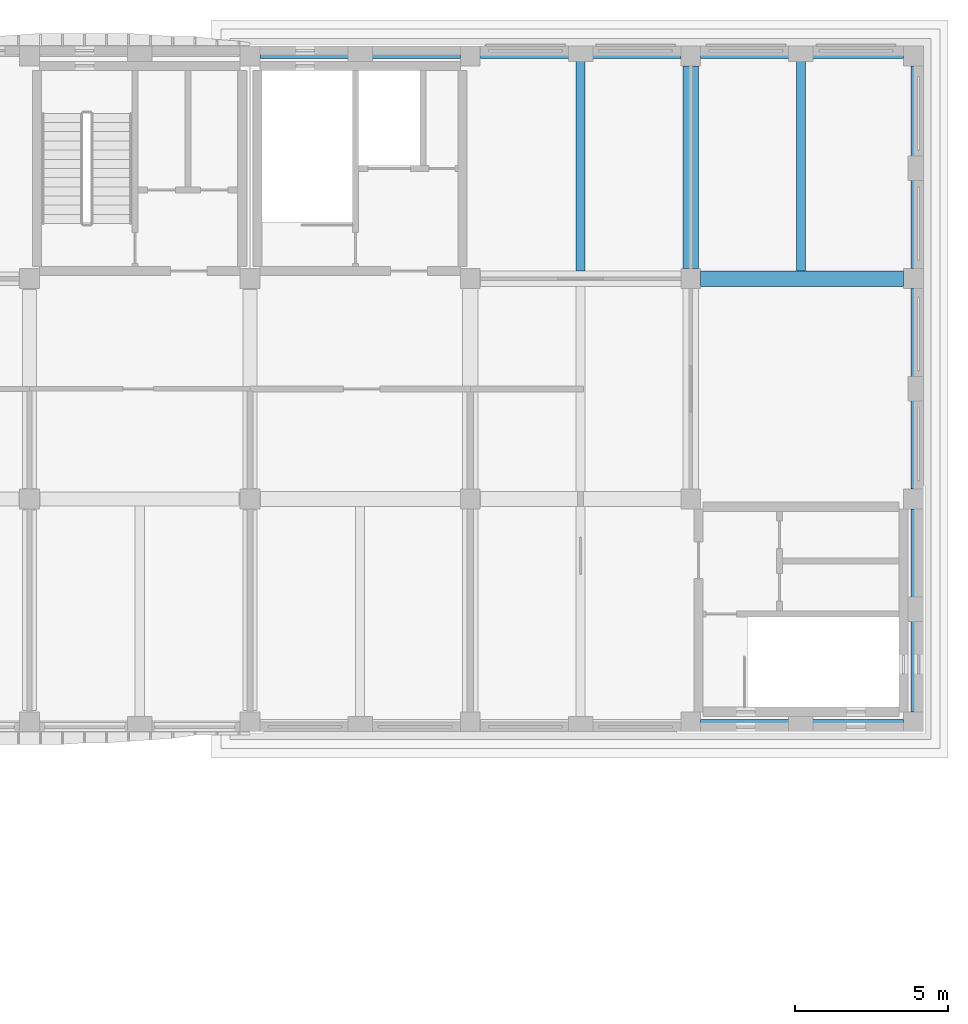
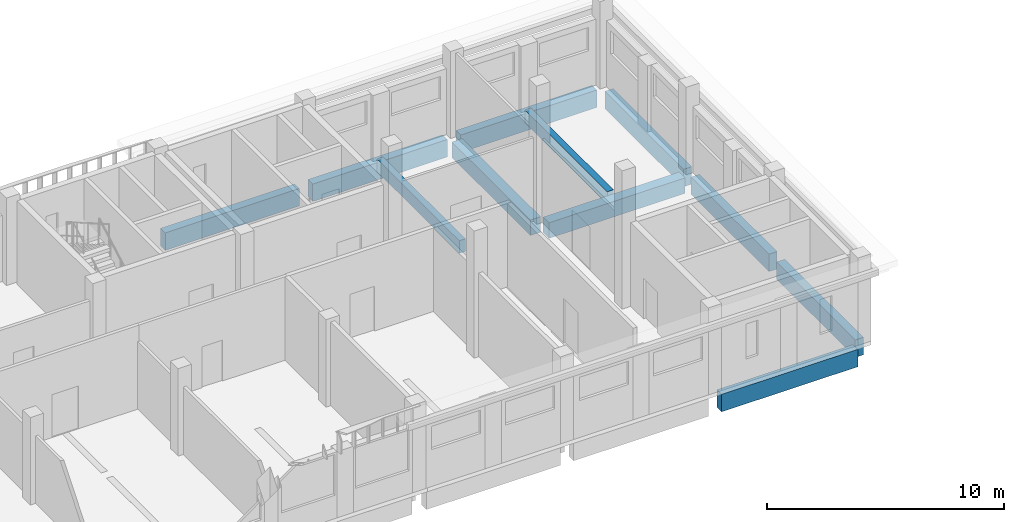
# One storey, part 15 of 58: 11 beams.
"""IFC4 building model written with IfcOpenShell, lengths in metres."""

from ifc_helpers import new_model, si_unit, direction, frame, origin, origin_2d, place, context, subcontext, project, spatial, rectangle, extrude, material, material_profile, profile_set, type_object, element, save


model = new_model("IFC4")

# Units and contexts
model_context = context("Model", 3, precision=1e-05, world=origin(), true_north=direction((0.0, 1.0)))
body_context = subcontext(model_context, "Body", "Model", "MODEL_VIEW")
ifc_project = project(units=[si_unit("LENGTHUNIT", "METRE"), si_unit("AREAUNIT", "SQUARE_METRE"), si_unit("VOLUMEUNIT", "CUBIC_METRE"), si_unit("PLANEANGLEUNIT", "RADIAN"), si_unit("MASSUNIT", "GRAM", prefix="KILO")], contexts=[model_context])

# Site, building, storey
site_placement = place(None, origin())
site = spatial("IfcSite", under=ifc_project, at=site_placement, CompositionType="ELEMENT")
building_placement = place(site_placement, origin())
building = spatial("IfcBuilding", under=site, at=building_placement, Name="Ussher Court Research Institute", CompositionType="ELEMENT")
storey_placement = place(building_placement, frame((0.0, 0.0, 9.89990234375)))
storey = spatial("IfcBuildingStorey", under=building, at=storey_placement, Name="L02", CompositionType="ELEMENT", Elevation=9.89990234375)

# Beams
ifc_material_1 = material(Name="Concrete C35/45", Category="concrete")
ifc_material_profile_1 = material_profile(ifc_material_1, rectangle(XDim=0.300048828125, YDim=0.64990234375, at=origin_2d()), Name="RC 300x650")
ifc_profile_set_1 = profile_set([ifc_material_profile_1], Name="Concrete C35/45")
beam_type_1 = type_object("IfcBeamType", Name="RC 300x650 beam", PredefinedType="BEAM", material=ifc_profile_set_1)
for number, where, z_axis, x_axis, name in (
    (1, (93.0, 83.449951171875, -0.324951171875), (0.0, 1.0, 0.0), (-1.0, 0.0, 0.0), "B4 V3 L02-04"),
    (2, (100.199951171875, 83.449951171875, -0.324951171875), (0.0, 1.0, 0.0), (-1.0, 0.0, 0.0), "B4 V3 L02-05"),
):
    element("IfcBeam", number, at=place(storey_placement, frame(where, z_axis=z_axis, x_axis=x_axis)), inside=storey, type_object=beam_type_1, Name=name, PredefinedType="BEAM", context=body_context, shape_type="SweptSolid", body=[
        extrude(rectangle(XDim=0.300048828125, YDim=0.64990234375, at=origin_2d()), origin(), (0.0, 0.0, 1.0), 6.949951171875),
    ])
ifc_material_2 = material(Name="Concrete C35/45", Category="concrete")
ifc_material_profile_2 = material_profile(ifc_material_2, rectangle(XDim=0.39990234375, YDim=0.89990234375, at=origin_2d()), Name="RC 400x900")
ifc_profile_set_2 = profile_set([ifc_material_profile_2], Name="Concrete C35/45")
beam_type_2 = type_object("IfcBeamType", Name="RC 400x900 beam", PredefinedType="BEAM", material=ifc_profile_set_2)
beam_1_placement = place(storey_placement, frame((96.925048828125, 68.60009765625, -0.64990234375), z_axis=(1.0, 0.0, 0.0), x_axis=(0.0, 1.0, 0.0)))
element("IfcBeam", 3, at=beam_1_placement, inside=storey, type_object=beam_type_2, Name="B8 V3 L02-03", PredefinedType="BEAM", context=body_context, shape_type="SweptSolid", body=[
    extrude(rectangle(XDim=0.39990234375, YDim=0.89990234375, at=origin_2d()), origin(), (0.0, 0.0, 1.0), 6.625),
])
beam_2_placement = place(storey_placement, frame((82.550048828125, 90.60009765625, -0.64990234375), z_axis=(1.0, 0.0, 0.0), x_axis=(0.0, 1.0, 0.0)))
element("IfcBeam", 4, at=beam_2_placement, inside=storey, type_object=beam_type_2, Name="B8 V3 L02-04", PredefinedType="BEAM", context=body_context, shape_type="SweptSolid", body=[
    extrude(rectangle(XDim=0.39990234375, YDim=0.89990234375, at=origin_2d()), origin(), (0.0, 0.0, 1.0), 6.52490234375),
])
beam_3_placement = place(storey_placement, frame((89.72509765625, 90.60009765625, -0.64990234375), z_axis=(1.0, 0.0, 0.0), x_axis=(0.0, 1.0, 0.0)))
element("IfcBeam", 5, at=beam_3_placement, inside=storey, type_object=beam_type_2, Name="B8 V3 L02-05", PredefinedType="BEAM", context=body_context, shape_type="SweptSolid", body=[
    extrude(rectangle(XDim=0.39990234375, YDim=0.89990234375, at=origin_2d()), origin(), (0.0, 0.0, 1.0), 6.5498046875),
])
for number, where, z_axis, x_axis, name in (
    (6, (96.925048828125, 90.60009765625, -0.64990234375), (1.0, 0.0, 0.0), (0.0, 1.0, 0.0), "B8 V3 L02-06"),
    (7, (104.0, 69.050048828125, -0.64990234375), (0.0, 1.0, 0.0), (-1.0, 0.0, 0.0), "B8 V3 L02-07"),
):
    element("IfcBeam", number, at=place(storey_placement, frame(where, z_axis=z_axis, x_axis=x_axis)), inside=storey, type_object=beam_type_2, Name=name, PredefinedType="BEAM", context=body_context, shape_type="SweptSolid", body=[
        extrude(rectangle(XDim=0.39990234375, YDim=0.89990234375, at=origin_2d()), origin(), (0.0, 0.0, 1.0), 6.625),
    ])
beam_4_placement = place(storey_placement, frame((104.0, 76.324951171875, -0.64990234375), z_axis=(0.0, 1.0, 0.0), x_axis=(-1.0, 0.0, 0.0)))
element("IfcBeam", 8, at=beam_4_placement, inside=storey, type_object=beam_type_2, Name="B8 V3 L02-08", PredefinedType="BEAM", context=body_context, shape_type="SweptSolid", body=[
    extrude(rectangle(XDim=0.39990234375, YDim=0.89990234375, at=origin_2d()), origin(), (0.0, 0.0, 1.0), 6.550048828125),
])
beam_5_placement = place(storey_placement, frame((104.0, 83.52490234375, -0.64990234375), z_axis=(0.0, 1.0, 0.0), x_axis=(-1.0, 0.0, 0.0)))
element("IfcBeam", 9, at=beam_5_placement, inside=storey, type_object=beam_type_2, Name="B8 V3 L02-09", PredefinedType="BEAM", context=body_context, shape_type="SweptSolid", body=[
    extrude(rectangle(XDim=0.39990234375, YDim=0.89990234375, at=origin_2d()), origin(), (0.0, 0.0, 1.0), 6.625),
])
ifc_material_3 = material(Name="Concrete C35/45", Category="concrete")
ifc_material_profile_3 = material_profile(ifc_material_3, rectangle(XDim=0.5, YDim=0.800048828125, at=origin_2d()), Name="RC 500x800")
ifc_profile_set_3 = profile_set([ifc_material_profile_3], Name="Concrete C35/45")
beam_type_3 = type_object("IfcBeamType", Name="RC 500x800 beam", PredefinedType="BEAM", material=ifc_profile_set_3)
for number, where, z_axis, x_axis, name in (
    (10, (96.925048828125, 83.199951171875, -0.599853515625), (1.0, 0.0, 0.0), (0.0, 1.0, 0.0), "B20 V3 L02-04"),
    (11, (96.60009765625, 83.52490234375, -0.599853515625), (0.0, 1.0, 0.0), (-1.0, 0.0, 0.0), "B20 V3 L02-08"),
):
    element("IfcBeam", number, at=place(storey_placement, frame(where, z_axis=z_axis, x_axis=x_axis)), inside=storey, type_object=beam_type_3, Name=name, PredefinedType="BEAM", context=body_context, shape_type="SweptSolid", body=[
        extrude(rectangle(XDim=0.5, YDim=0.800048828125, at=origin_2d()), origin(), (0.0, 0.0, 1.0), 6.625),
    ])

save(model, "model.ifc")
